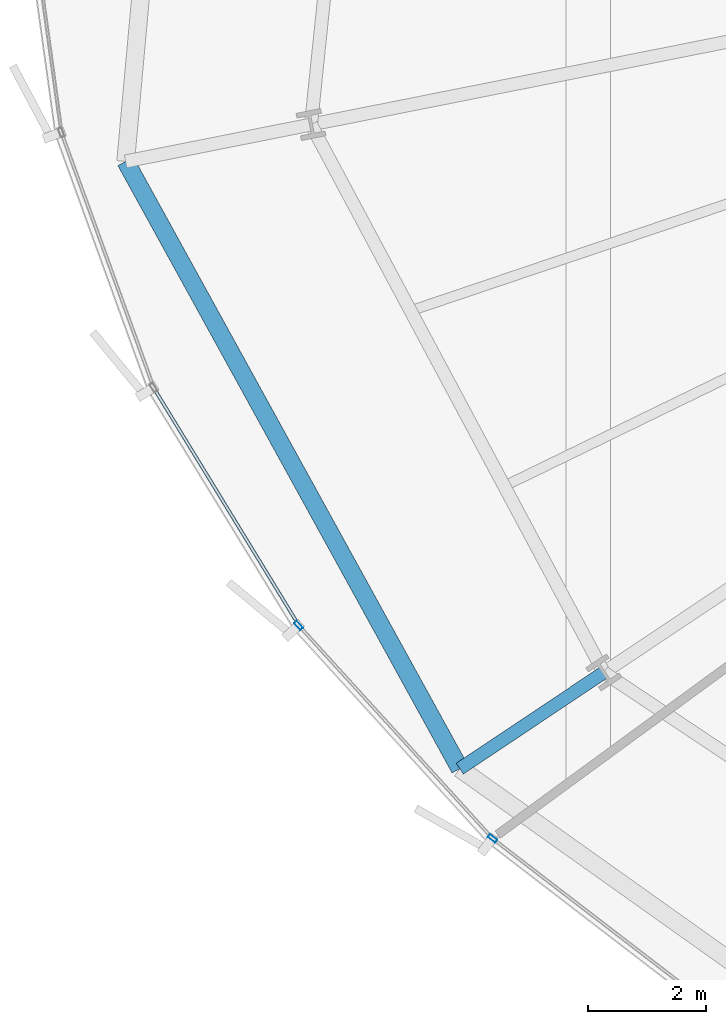
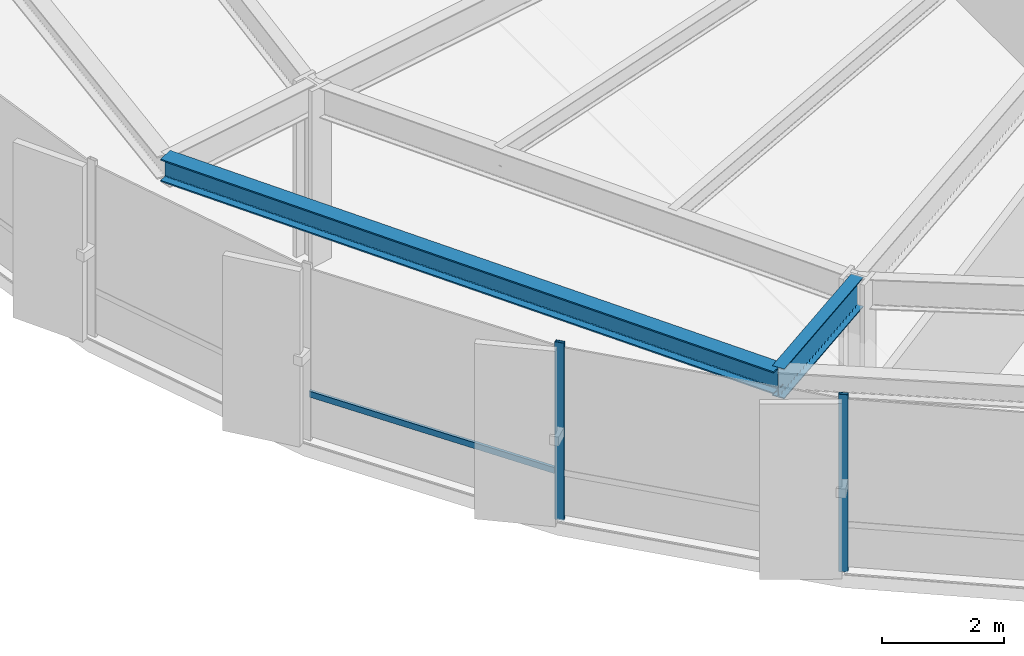
# One storey, part 3 of 42: 3 members, 2 beams, 1 element without a shape of its own.
"""IFC4 building model written with IfcOpenShell, lengths in metres."""

from ifc_helpers import new_model, si_unit, direction, frame, origin, origin_2d, place, context, subcontext, project, spatial, hollow_rectangle, i_section, extrude, source, transform, mapped, material, layer, layer_set, material_profile, profile_set, type_object, element, aggregate, save


model = new_model("IFC4")

# Units and contexts
model_context = context("Model", 3, precision=1e-05, world=origin(), true_north=direction((0.0, 1.0)))
body_context = subcontext(model_context, "Body", "Model", "MODEL_VIEW")
ifc_project = project(units=[si_unit("LENGTHUNIT", "METRE"), si_unit("AREAUNIT", "SQUARE_METRE"), si_unit("VOLUMEUNIT", "CUBIC_METRE"), si_unit("PLANEANGLEUNIT", "RADIAN"), si_unit("MASSUNIT", "GRAM", prefix="KILO"), si_unit("THERMODYNAMICTEMPERATUREUNIT", "KELVIN")], contexts=[model_context])

# Site, building, storey
site_placement = place(None, origin())
site = spatial("IfcSite", under=ifc_project, at=site_placement, CompositionType="ELEMENT")
building_placement = place(site_placement, origin())
building = spatial("IfcBuilding", under=site, at=building_placement, Name="Kethvar Cultural Tower", CompositionType="ELEMENT")
storey_placement = place(building_placement, frame((0.0, 0.0, 37.199951171875)))
storey = spatial("IfcBuildingStorey", under=building, at=storey_placement, Name="L08", CompositionType="ELEMENT", Elevation=37.199951171875)

# Beams
ifc_material_1 = material(Name="Steel S355J2", Category="steel")
ifc_material_profile_1 = material_profile(ifc_material_1, i_section(OverallWidth=0.219970703125, OverallDepth=0.60009765625, WebThickness=0.011962890625, FlangeThickness=0.01904296875, FilletRadius=0.02392578125, at=origin_2d()), Name="Steel S355J2 — IPE600")
ifc_profile_set_1 = profile_set([ifc_material_profile_1], Name="Steel S355J2 — IPE600")
beam_type_1 = type_object("IfcBeamType", Name="BM-IPE600", PredefinedType="BEAM", material=ifc_profile_set_1)
shared_shape_1 = source(origin(), body_context, "Body", "SweptSolid", [
    extrude(i_section(OverallWidth=0.219970703125, OverallDepth=0.60009765625, WebThickness=0.011962890625, FlangeThickness=0.01904296875, FilletRadius=0.02392578125, at=origin_2d()), origin(), (0.0, 0.0, 1.0), 2.932373046875),
])
beam_1_placement = place(storey_placement, frame((24.9248046875, 13.183349609375, 3.248046875), z_axis=(-0.831473460377, -0.555564473926, 0.0), x_axis=(0.555564473926, -0.831473460377, 0.0)))
element("IfcBeam", 1, at=beam_1_placement, inside=storey, type_object=beam_type_1, Name="L08 Perimeter Cantilever Beam RC-10", PredefinedType="BEAM", context=body_context, shape_type="MappedRepresentation", body=[
    mapped(shared_shape_1, transform((0.0, 0.0, 0.0), scale=1.0)),
])
ifc_material_profile_2 = material_profile(ifc_material_1, i_section(OverallWidth=0.300048828125, OverallDepth=0.449951171875, WebThickness=0.013916015625, FlangeThickness=0.02587890625, FilletRadius=0.027099609375, at=origin_2d()), Name="Steel S355J2 — HEB450")
ifc_profile_set_2 = profile_set([ifc_material_profile_2], Name="Steel S355J2 — HEB450")
beam_type_2 = type_object("IfcBeamType", Name="BM-SP450", PredefinedType="SPANDREL", material=ifc_profile_set_2)
shared_shape_2 = source(origin(), body_context, "Body", "SweptSolid", [
    extrude(i_section(OverallWidth=0.300048828125, OverallDepth=0.449951171875, WebThickness=0.013916015625, FlangeThickness=0.02587890625, FilletRadius=0.027099609375, at=origin_2d()), origin(), (0.0, 0.0, 1.0), 11.73828125),
])
beam_2_placement = place(storey_placement, frame((16.827392578125, 21.838134765625, 3.322998046875), z_axis=(0.48211594682, -0.876107421394, 0.0), x_axis=(0.876107421394, 0.48211594682, 0.0)))
element("IfcBeam", 2, at=beam_2_placement, inside=storey, type_object=beam_type_2, Name="L08 Perimeter Spandrel Beam SP-09", PredefinedType="SPANDREL", context=body_context, shape_type="MappedRepresentation", body=[
    mapped(shared_shape_2, transform((0.0, 0.0, 0.0), scale=1.0)),
])

# Curtain wall, members
ifc_material_2 = material(Name="Aluminium 6063-T6", Category="aluminium")
ifc_layer = layer(ifc_material_2, 0.179931640625, Name="Aluminium 6063-T6", Category="aluminium")
ifc_layer_set = layer_set([ifc_layer], Name="Aluminium 6063-T6 (180 mm)")
curtain_wall_type = type_object("IfcCurtainWallType", Name="CW-SYS-02-Z1", PredefinedType="NOTDEFINED", material=ifc_layer_set)
curtain_wall_placement = place(storey_placement, origin())
curtain_wall = element("IfcCurtainWall", 3, at=curtain_wall_placement, inside=storey, type_object=curtain_wall_type, Name="L08 Curtain Wall Run 04", PredefinedType="NOTDEFINED")
ifc_material_profile_3 = material_profile(ifc_material_2, hollow_rectangle(XDim=0.06494140625, YDim=0.159912109375, WallThickness=0.0048828125, at=origin_2d()), Name="Aluminium 6063-T6 — RHS160x65x5")
ifc_profile_set_3 = profile_set([ifc_material_profile_3], Name="Aluminium 6063-T6 — RHS160x65x5")
member_type_1 = type_object("IfcMemberType", Name="CW-SYS-02-Z1-MUL", PredefinedType="MULLION", material=ifc_profile_set_3)
shared_shape_3 = source(origin(), body_context, "Body", "SweptSolid", [
    extrude(hollow_rectangle(XDim=0.06494140625, YDim=0.159912109375, WallThickness=0.0048828125, at=origin_2d()), origin(), (0.0, 0.0, 1.0), 3.550048828125),
])
member_1_placement = place(storey_placement, frame((19.758056640625, 13.98046875, 0.0), z_axis=(0.0, 0.0, 1.0), x_axis=(0.739607601959, 0.673038331095, 0.0)))
member_1 = element("IfcMember", 4, at=member_1_placement, type_object=member_type_1, Name="CW-L08-R04 Mullion 4", PredefinedType="MULLION", context=body_context, shape_type="MappedRepresentation", body=[
    mapped(shared_shape_3, transform((0.0, 0.0, 0.0), scale=1.0)),
])
member_2_placement = place(storey_placement, frame((23.038818359375, 10.372314453125, 0.0), z_axis=(0.0, 0.0, 1.0), x_axis=(0.609370501072, 0.792885611184, 0.0)))
member_2 = element("IfcMember", 5, at=member_2_placement, type_object=member_type_1, Name="CW-L08-R04 Mullion 5", PredefinedType="MULLION", context=body_context, shape_type="MappedRepresentation", body=[
    mapped(shared_shape_3, transform((0.0, 0.0, 0.0), scale=1.0)),
])
ifc_material_profile_4 = material_profile(ifc_material_2, hollow_rectangle(XDim=0.054931640625, YDim=0.1201171875, WallThickness=0.00390625, at=origin_2d()), Name="Aluminium 6063-T6 — RHS120x55x4")
ifc_profile_set_4 = profile_set([ifc_material_profile_4], Name="Aluminium 6063-T6 — RHS120x55x4")
member_type_2 = type_object("IfcMemberType", Name="CW-SYS-02-Z1-TRN", PredefinedType="USERDEFINED", material=ifc_profile_set_4)
shared_shape_4 = source(origin(), body_context, "Body", "SweptSolid", [
    extrude(hollow_rectangle(XDim=0.054931640625, YDim=0.1201171875, WallThickness=0.00390625, at=origin_2d()), origin(), (0.0, 0.0, 1.0), 4.64697265625),
])
member_3_placement = place(storey_placement, frame((17.323974609375, 17.96728515625, 0.949951171875), z_axis=(0.521486135821, -0.853259755377, 0.0), x_axis=(0.853259755377, 0.521486135821, 0.0)))
member_3 = element("IfcMember", 6, at=member_3_placement, type_object=member_type_2, Name="CW-L08-R04 Transom 3", ObjectType="TRANSOM", PredefinedType="USERDEFINED", context=body_context, shape_type="MappedRepresentation", body=[
    mapped(shared_shape_4, transform((0.0, 0.0, 0.0), scale=1.0)),
])
aggregate(curtain_wall, [member_1, member_2, member_3])

save(model, "model.ifc")
